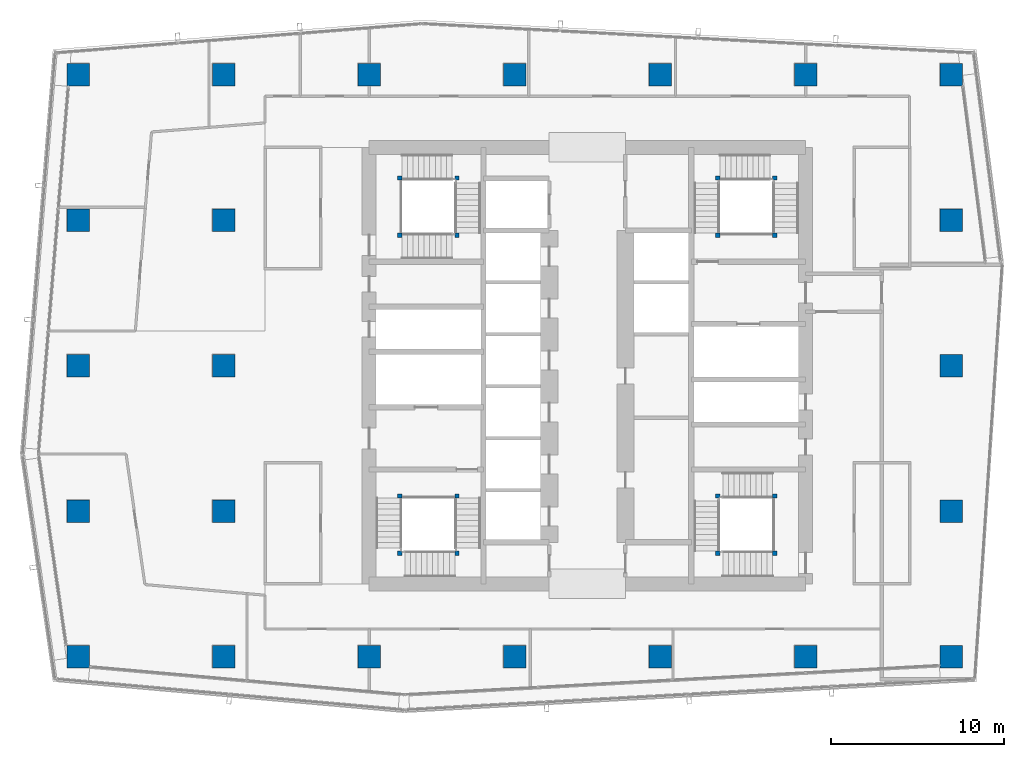
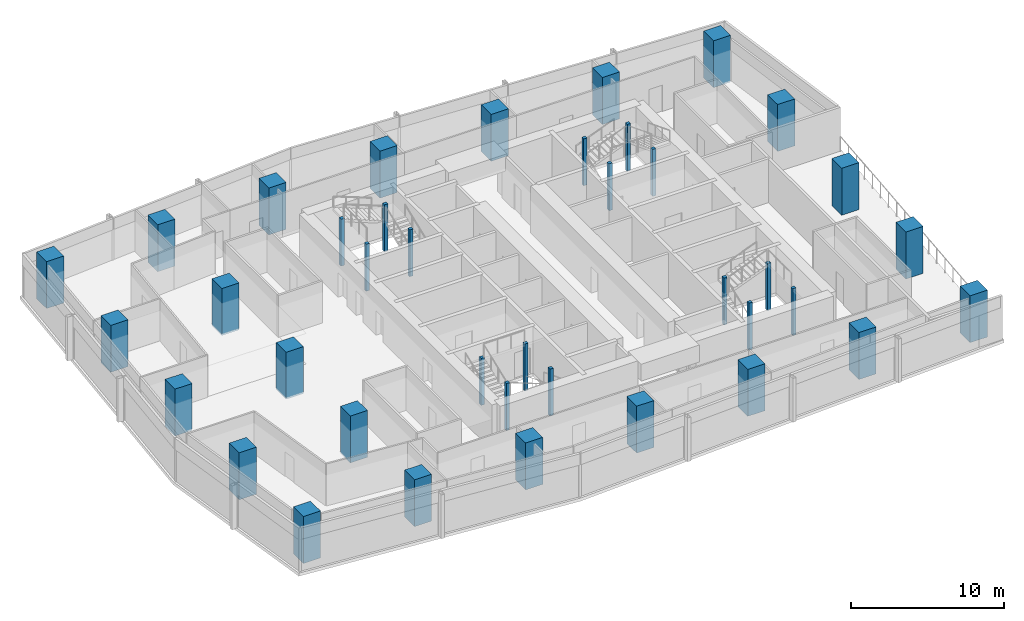
# One storey, part 1 of 28: 39 columns.
"""IFC4 building model written with IfcOpenShell, lengths in metres."""

from ifc_helpers import new_model, si_unit, direction, frame, origin, origin_2d, place, context, subcontext, project, spatial, rectangle, extrude, material, material_profile, profile_set, type_object, element, save


model = new_model("IFC4")

# Units and contexts
model_context = context("Model", 3, precision=1e-05, world=origin(), true_north=direction((0.0, 1.0)))
body_context = subcontext(model_context, "Body", "Model", "MODEL_VIEW")
ifc_project = project(units=[si_unit("LENGTHUNIT", "METRE"), si_unit("AREAUNIT", "SQUARE_METRE"), si_unit("VOLUMEUNIT", "CUBIC_METRE"), si_unit("PLANEANGLEUNIT", "RADIAN"), si_unit("MASSUNIT", "GRAM", prefix="KILO")], contexts=[model_context])

# Site, building, storey
site_placement = place(None, origin())
site = spatial("IfcSite", under=ifc_project, at=site_placement, CompositionType="ELEMENT")
building_placement = place(site_placement, origin())
building = spatial("IfcBuilding", under=site, at=building_placement, Name="Rekha Terrace Tower", CompositionType="ELEMENT")
storey_placement = place(building_placement, frame((0.0, 0.0, 253.85009765625)))
storey = spatial("IfcBuildingStorey", under=building, at=storey_placement, Name="L64", CompositionType="ELEMENT", Elevation=253.85009765625)

# Columns
ifc_material_1 = material(Name="Concrete M70", Category="concrete")
ifc_material_profile_1 = material_profile(ifc_material_1, rectangle(XDim=1.300048828125, YDim=1.300048828125, at=origin_2d()), Name="RC 1300x1300")
ifc_profile_set_1 = profile_set([ifc_material_profile_1], Name="Concrete M70")
column_type_1 = type_object("IfcColumnType", Name="C5D 1300x1300 column", PredefinedType="COLUMN", material=ifc_profile_set_1)
for number, where, z_axis, x_axis, name in (
    (1, (8.39990234375, 16.800048828125, 0.0), (0.0, 0.0, 1.0), (1.0, 0.0, 0.0), "Column C5D 2/C L64"),
    (2, (8.39990234375, 25.199951171875, 0.0), (0.0, 0.0, 1.0), (1.0, 0.0, 0.0), "Column C5D 2/D L64"),
    (3, (8.39990234375, 33.60009765625, 0.0), (0.0, 0.0, 1.0), (1.0, 0.0, 0.0), "Column C5D 2/E L64"),
    (4, (8.39990234375, 42.0, 0.0), (0.0, 0.0, 1.0), (1.0, 0.0, 0.0), "Column C5D 2/F L64"),
    (5, (8.39990234375, 50.39990234375, 0.0), (0.0, 0.0, 1.0), (1.0, 0.0, 0.0), "Column C5D 2/G L64"),
    (6, (16.800048828125, 16.800048828125, 0.0), (0.0, 0.0, 1.0), (1.0, 0.0, 0.0), "Column C5D 3/C L64"),
    (7, (16.800048828125, 25.199951171875, 0.0), (0.0, 0.0, 1.0), (1.0, 0.0, 0.0), "Column C5D 3/D L64"),
    (8, (16.800048828125, 33.60009765625, 0.0), (0.0, 0.0, 1.0), (1.0, 0.0, 0.0), "Column C5D 3/E L64"),
    (9, (16.800048828125, 42.0, 0.0), (0.0, 0.0, 1.0), (1.0, 0.0, 0.0), "Column C5D 3/F L64"),
    (10, (16.800048828125, 50.39990234375, 0.0), (0.0, 0.0, 1.0), (1.0, 0.0, 0.0), "Column C5D 3/G L64"),
    (11, (25.199951171875, 16.800048828125, 0.0), (0.0, 0.0, 1.0), (1.0, 0.0, 0.0), "Column C5D 4/C L64"),
    (12, (25.199951171875, 50.39990234375, 0.0), (0.0, 0.0, 1.0), (1.0, 0.0, 0.0), "Column C5D 4/G L64"),
    (13, (33.60009765625, 16.800048828125, 0.0), (0.0, 0.0, 1.0), (1.0, 0.0, 0.0), "Column C5D 5/C L64"),
    (14, (33.60009765625, 50.39990234375, 0.0), (0.0, 0.0, 1.0), (1.0, 0.0, 0.0), "Column C5D 5/G L64"),
    (15, (42.0, 16.800048828125, 0.0), (0.0, 0.0, 1.0), (1.0, 0.0, 0.0), "Column C5D 6/C L64"),
    (16, (42.0, 50.39990234375, 0.0), (0.0, 0.0, 1.0), (1.0, 0.0, 0.0), "Column C5D 6/G L64"),
    (17, (50.39990234375, 16.800048828125, 0.0), (0.0, 0.0, 1.0), (1.0, 0.0, 0.0), "Column C5D 7/C L64"),
    (18, (50.39990234375, 50.39990234375, 0.0), (0.0, 0.0, 1.0), (1.0, 0.0, 0.0), "Column C5D 7/G L64"),
    (19, (58.800048828125, 16.800048828125, 0.0), (0.0, 0.0, 1.0), (1.0, 0.0, 0.0), "Column C5D 8/C L64"),
    (20, (58.800048828125, 25.199951171875, 0.0), (0.0, 0.0, 1.0), (1.0, 0.0, 0.0), "Column C5D 8/D L64"),
    (21, (58.800048828125, 33.60009765625, 0.0), (0.0, 0.0, 1.0), (1.0, 0.0, 0.0), "Column C5D 8/E L64"),
    (22, (58.800048828125, 42.0, 0.0), (0.0, 0.0, 1.0), (1.0, 0.0, 0.0), "Column C5D 8/F L64"),
    (23, (58.800048828125, 50.39990234375, 0.0), (0.0, 0.0, 1.0), (1.0, 0.0, 0.0), "Column C5D 8/G L64"),
):
    element("IfcColumn", number, at=place(storey_placement, frame(where, z_axis=z_axis, x_axis=x_axis)), inside=storey, type_object=column_type_1, Name=name, PredefinedType="COLUMN", context=body_context, shape_type="SweptSolid", body=[
        extrude(rectangle(XDim=1.300048828125, YDim=1.300048828125, at=origin_2d()), origin(), (0.0, 0.0, 1.0), 3.75),
    ])
ifc_material_2 = material(Name="Concrete M60", Category="concrete")
ifc_material_profile_2 = material_profile(ifc_material_2, rectangle(XDim=0.25, YDim=0.25, at=origin_2d()), Name="RC 250x250")
ifc_profile_set_2 = profile_set([ifc_material_profile_2], Name="Concrete M60")
column_type_2 = type_object("IfcColumnType", Name="NP1 250x250 stair newel post", PredefinedType="COLUMN", material=ifc_profile_set_2)
for number, where, z_axis, x_axis, name in (
    (24, (30.27490234375, 26.074951171875, 0.0), (0.0, 0.0, 1.0), (1.0, 0.0, 0.0), "Stair newel post NP1"),
    (25, (30.27490234375, 22.77490234375, 0.0), (0.0, 0.0, 1.0), (1.0, 0.0, 0.0), "Stair newel post NP1"),
    (26, (26.97509765625, 22.77490234375, 0.0), (0.0, 0.0, 1.0), (1.0, 0.0, 0.0), "Stair newel post NP1"),
    (27, (26.97509765625, 26.074951171875, 0.0), (0.0, 0.0, 1.0), (1.0, 0.0, 0.0), "Stair newel post NP1"),
    (28, (45.324951171875, 41.125, 0.0), (0.0, 0.0, 1.0), (1.0, 0.0, 0.0), "Stair newel post NP1"),
    (29, (45.324951171875, 44.425048828125, 0.0), (0.0, 0.0, 1.0), (1.0, 0.0, 0.0), "Stair newel post NP1"),
    (30, (48.625, 44.425048828125, 0.0), (0.0, 0.0, 1.0), (1.0, 0.0, 0.0), "Stair newel post NP1"),
    (31, (48.625, 41.125, 0.0), (0.0, 0.0, 1.0), (1.0, 0.0, 0.0), "Stair newel post NP1"),
    (32, (48.625, 22.77490234375, 0.0), (0.0, 0.0, 1.0), (1.0, 0.0, 0.0), "Stair newel post NP1"),
    (33, (45.324951171875, 22.77490234375, 0.0), (0.0, 0.0, 1.0), (1.0, 0.0, 0.0), "Stair newel post NP1"),
    (34, (45.324951171875, 26.074951171875, 0.0), (0.0, 0.0, 1.0), (1.0, 0.0, 0.0), "Stair newel post NP1"),
    (35, (48.625, 26.074951171875, 0.0), (0.0, 0.0, 1.0), (1.0, 0.0, 0.0), "Stair newel post NP1"),
    (36, (26.97509765625, 41.125, 0.0), (0.0, 0.0, 1.0), (1.0, 0.0, 0.0), "Stair newel post NP1"),
    (37, (30.27490234375, 41.125, 0.0), (0.0, 0.0, 1.0), (1.0, 0.0, 0.0), "Stair newel post NP1"),
    (38, (30.27490234375, 44.425048828125, 0.0), (0.0, 0.0, 1.0), (1.0, 0.0, 0.0), "Stair newel post NP1"),
    (39, (26.97509765625, 44.425048828125, 0.0), (0.0, 0.0, 1.0), (1.0, 0.0, 0.0), "Stair newel post NP1"),
):
    element("IfcColumn", number, at=place(storey_placement, frame(where, z_axis=z_axis, x_axis=x_axis)), inside=storey, type_object=column_type_2, Name=name, PredefinedType="COLUMN", context=body_context, shape_type="SweptSolid", body=[
        extrude(rectangle(XDim=0.25, YDim=0.25, at=origin_2d()), origin(), (0.0, 0.0, 1.0), 3.75),
    ])

save(model, "model.ifc")
